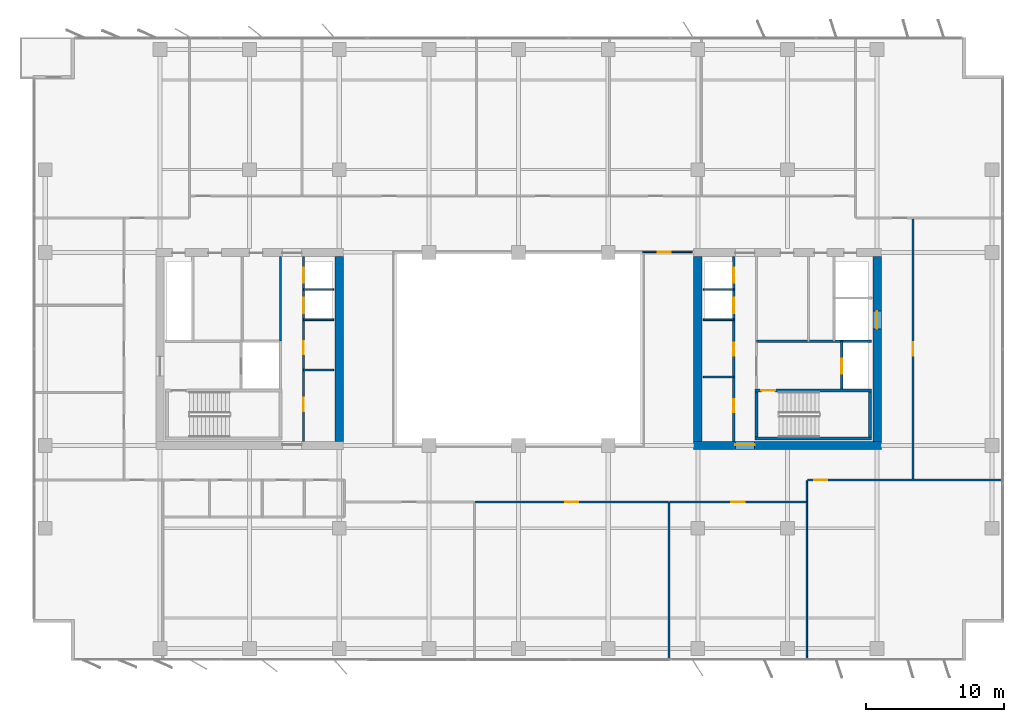
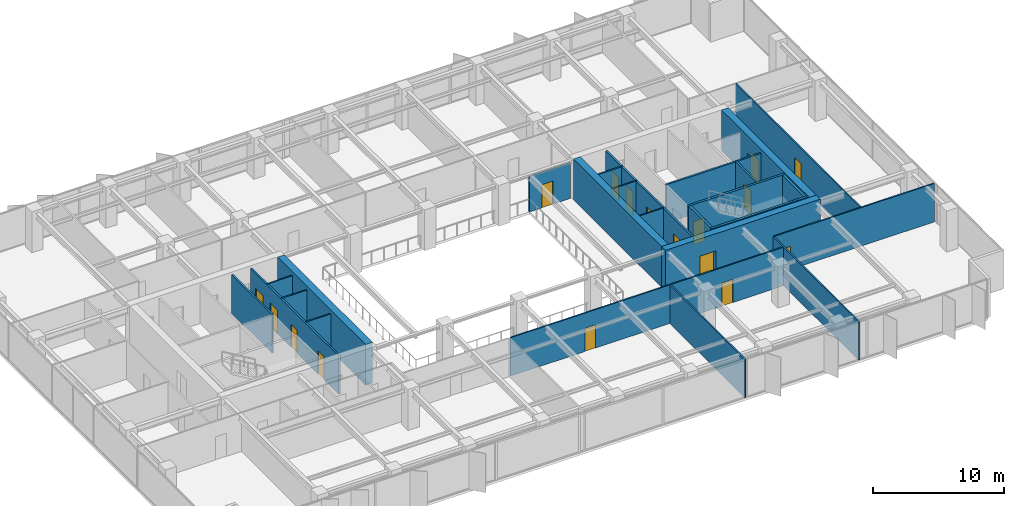
# One storey, part 16 of 22: 26 walls, 17 doors, 17 openings.
"""IFC4 building model written with IfcOpenShell, lengths in metres."""

from ifc_helpers import new_model, si_unit, direction, frame, frame_2d, origin, place, context, subcontext, project, spatial, rectangle, extrude, material, layer, layer_set, type_object, element, fill, save


model = new_model("IFC4")

# Units and contexts
model_context = context("Model", 3, precision=1e-05, world=origin(), true_north=direction((0.0, 1.0)))
body_context = subcontext(model_context, "Body", "Model", "MODEL_VIEW")
ifc_project = project(units=[si_unit("LENGTHUNIT", "METRE"), si_unit("AREAUNIT", "SQUARE_METRE"), si_unit("VOLUMEUNIT", "CUBIC_METRE"), si_unit("PLANEANGLEUNIT", "RADIAN"), si_unit("MASSUNIT", "GRAM", prefix="KILO")], contexts=[model_context])

# Site, building, storey
site_placement = place(None, origin())
site = spatial("IfcSite", under=ifc_project, at=site_placement, CompositionType="ELEMENT")
building_placement = place(site_placement, origin())
building = spatial("IfcBuilding", under=site, at=building_placement, Name="Putna Gate Headquarters", CompositionType="ELEMENT")
storey_placement = place(building_placement, frame((0.0, 0.0, 151.800048828125)))
storey = spatial("IfcBuildingStorey", under=building, at=storey_placement, Name="L37", CompositionType="ELEMENT", Elevation=151.800048828125)

# Wall
ifc_material_1 = material(Name="Concrete C50/60", Category="concrete")
ifc_layer_1 = layer(ifc_material_1, 0.60009765625)
ifc_layer_set_1 = layer_set([ifc_layer_1], Name="Concrete C50/60")
wall_type_1 = type_object("IfcWallType", Name="WALL-CORE-600", PredefinedType="SHEAR", material=ifc_layer_set_1)
wall_1_placement = place(storey_placement, frame((26.0, 19.300048828125, 0.0), z_axis=(0.0, 0.0, 1.0), x_axis=(0.0, 1.0, 0.0)))
element("IfcWall", 1, at=wall_1_placement, inside=storey, type_object=wall_type_1, Name="L37 WC Split Core Shear Wall E", PredefinedType="SHEAR", context=body_context, shape_type="SweptSolid", body=[
    extrude(rectangle(XDim=13.39990234375, YDim=0.60009765625, at=frame_2d((6.699951171875, 0.0))), origin(), (0.0, 0.0, 1.0), 3.800048828125),
])

# Wall, opening, door
wall_2_placement = place(storey_placement, frame((51.699951171875, 19.0, 0.0), z_axis=(0.0, 0.0, 1.0), x_axis=(1.0, 0.0, 0.0)))
wall_2 = element("IfcWall", 2, at=wall_2_placement, inside=storey, type_object=wall_type_1, Name="L37 EC Split Core Shear Wall S", PredefinedType="SHEAR", context=body_context, shape_type="SweptSolid", body=[
    extrude(rectangle(XDim=13.60009765625, YDim=0.60009765625, at=frame_2d((6.800048828125, 0.0))), origin(), (0.0, 0.0, 1.0), 3.800048828125),
])
opening_1_placement = place(wall_2_placement, frame((3.02001953125, 0.0, 0.0)))
opening_1 = element("IfcOpeningElement", 3, at=opening_1_placement, cuts=wall_2, Name="Opening FDD-140", PredefinedType="OPENING", context=body_context, shape_type="SweptSolid", body=[
    extrude(rectangle(XDim=1.39990234375, YDim=2.199951171875, at=frame_2d((0.699951171875, 1.10009765625))), frame((0.0, 0.31005859375, 0.0), z_axis=(0.0, -1.0, 0.0), x_axis=(1.0, 0.0, 0.0)), (0.0, 0.0, 1.0), 0.6201171875),
])
ifc_material_2 = material(Name="Double steel fire door", Category="steel")
door_type_1 = type_object("IfcDoorType", Name="DOOR-FIRE-DBL-1400", OperationType="DOUBLE_DOOR_SINGLE_SWING", PredefinedType="DOOR", material=ifc_material_2)
door_1_placement = place(opening_1_placement, origin())
door_1 = element("IfcDoor", 4, at=door_1_placement, inside=storey, type_object=door_type_1, Name="L37 East Lift Lobby South Door", OperationType="DOUBLE_DOOR_SINGLE_SWING", OverallHeight=2.199951171875, OverallWidth=1.39990234375, PredefinedType="DOOR", context=body_context, shape_type="SweptSolid", body=[
    extrude(rectangle(XDim=1.39990234375, YDim=2.199951171875, at=frame_2d((0.699951171875, 1.10009765625))), frame((0.0, 0.0751953125, 0.0), z_axis=(0.0, -1.0, 0.0), x_axis=(1.0, 0.0, 0.0)), (0.0, 0.0, 1.0), 0.050048828125),
])
fill(opening_1, door_1)

# Wall
wall_3_placement = place(storey_placement, frame((52.0, 19.300048828125, 0.0), z_axis=(0.0, 0.0, 1.0), x_axis=(0.0, 1.0, 0.0)))
element("IfcWall", 5, at=wall_3_placement, inside=storey, type_object=wall_type_1, Name="L37 EC Split Core Shear Wall W", PredefinedType="SHEAR", context=body_context, shape_type="SweptSolid", body=[
    extrude(rectangle(XDim=13.39990234375, YDim=0.60009765625, at=frame_2d((6.699951171875, 0.0))), origin(), (0.0, 0.0, 1.0), 3.800048828125),
])

# Wall, opening, door
wall_4_placement = place(storey_placement, frame((65.0, 19.300048828125, 0.0), z_axis=(0.0, 0.0, 1.0), x_axis=(0.0, 1.0, 0.0)))
wall_4 = element("IfcWall", 6, at=wall_4_placement, inside=storey, type_object=wall_type_1, Name="L37 EC Split Core Shear Wall E", PredefinedType="SHEAR", context=body_context, shape_type="SweptSolid", body=[
    extrude(rectangle(XDim=13.39990234375, YDim=0.60009765625, at=frame_2d((6.699951171875, 0.0))), origin(), (0.0, 0.0, 1.0), 3.800048828125),
])
opening_2_placement = place(wall_4_placement, frame((8.14990234375, 0.0, 0.0)))
opening_2 = element("IfcOpeningElement", 7, at=opening_2_placement, cuts=wall_4, Name="Opening LD-2", PredefinedType="OPENING", context=body_context, shape_type="SweptSolid", body=[
    extrude(rectangle(XDim=1.300048828125, YDim=2.199951171875, at=frame_2d((0.64990234375, 1.10009765625))), frame((0.0, 0.31005859375, 0.0), z_axis=(0.0, -1.0, 0.0), x_axis=(1.0, 0.0, 0.0)), (0.0, 0.0, 1.0), 0.6201171875),
])
ifc_material_3 = material(Name="Heavy-duty goods lift sliding landing door")
door_type_2 = type_object("IfcDoorType", Name="DOOR-LIFT-1300", OperationType="DOUBLE_DOOR_SLIDING", PredefinedType="DOOR", material=ifc_material_3)
door_2_placement = place(opening_2_placement, origin())
door_2 = element("IfcDoor", 8, at=door_2_placement, inside=storey, type_object=door_type_2, Name="L37 Goods Lift Landing Door LD-15", OperationType="DOUBLE_DOOR_SLIDING", OverallHeight=2.199951171875, OverallWidth=1.300048828125, PredefinedType="DOOR", context=body_context, shape_type="SweptSolid", body=[
    extrude(rectangle(XDim=1.300048828125, YDim=2.199951171875, at=frame_2d((0.64990234375, 1.10009765625))), frame((0.0, 0.02490234375, 0.0), z_axis=(0.0, -1.0, 0.0), x_axis=(1.0, 0.0, 0.0)), (0.0, 0.0, 1.0), 0.050048828125),
])
fill(opening_2, door_2)

ifc_material_4 = material(Name="Acoustic gypsum board on metal stud")
ifc_layer_2 = layer(ifc_material_4, 0.1201171875)
ifc_layer_set_2 = layer_set([ifc_layer_2], Name="Acoustic gypsum board on metal stud")
wall_type_2 = type_object("IfcWallType", Name="WALL-PART-120", PredefinedType="PARTITIONING", material=ifc_layer_set_2)
wall_5_placement = place(storey_placement, frame((48.0, 33.0400390625, 0.0), z_axis=(0.0, 0.0, 1.0), x_axis=(1.0, 0.0, 0.0)))
wall_5 = element("IfcWall", 9, at=wall_5_placement, inside=storey, type_object=wall_type_2, Name="L37 Interior Wall PART-L37-ATR-E-N", PredefinedType="PARTITIONING", context=body_context, shape_type="SweptSolid", body=[
    extrude(rectangle(XDim=3.60009765625, YDim=0.1201171875, at=frame_2d((1.800048828125, 0.0))), origin(), (0.0, 0.0, 1.0), 3.31201171875),
])
opening_3_placement = place(wall_5_placement, frame((1.10009765625, 0.0, 0.0)))
opening_3 = element("IfcOpeningElement", 10, at=opening_3_placement, cuts=wall_5, Name="Opening ID-95", PredefinedType="OPENING", context=body_context, shape_type="SweptSolid", body=[
    extrude(rectangle(XDim=0.949951171875, YDim=2.14990234375, at=frame_2d((0.47509765625, 1.074951171875))), frame((0.0, 0.070068359375, 0.0), z_axis=(0.0, -1.0, 0.0), x_axis=(1.0, 0.0, 0.0)), (0.0, 0.0, 1.0), 0.14013671875),
])
ifc_material_5 = material(Name="Veneered acoustic timber door", Category="wood")
door_type_3 = type_object("IfcDoorType", Name="DOOR-OFF-950", OperationType="NOTDEFINED", PredefinedType="DOOR", material=ifc_material_5)
door_3_placement = place(opening_3_placement, origin())
door_3 = element("IfcDoor", 11, at=door_3_placement, inside=storey, type_object=door_type_3, Name="L37 East Sky Atrium Lounge Door", OperationType="SINGLE_SWING_LEFT", OverallHeight=2.14990234375, OverallWidth=0.949951171875, PredefinedType="DOOR", context=body_context, shape_type="SweptSolid", body=[
    extrude(rectangle(XDim=0.949951171875, YDim=2.14990234375, at=frame_2d((0.47509765625, 1.074951171875))), frame((0.0, 0.02490234375, 0.0), z_axis=(0.0, -1.0, 0.0), x_axis=(1.0, 0.0, 0.0)), (0.0, 0.0, 1.0), 0.050048828125),
])
fill(opening_3, door_3)

# Walls
wall_6_placement = place(storey_placement, frame((49.912109375, 3.419921875, 0.0), z_axis=(0.0, 0.0, 1.0), x_axis=(0.0, 1.0, 0.0)))
element("IfcWall", 12, at=wall_6_placement, inside=storey, type_object=wall_type_2, Name="L37 Interior Wall PART-L37-SB-DIV-03", PredefinedType="PARTITIONING", context=body_context, shape_type="SweptSolid", body=[
    extrude(rectangle(XDim=11.420166015625, YDim=0.1201171875, at=frame_2d((5.7099609375, 0.0))), origin(), (0.0, 0.0, 1.0), 3.572021484375),
])
wall_7_placement = place(storey_placement, frame((59.907958984375, 3.419921875, 0.0), z_axis=(0.0, 0.0, 1.0), x_axis=(0.0, 1.0, 0.0)))
element("IfcWall", 13, at=wall_7_placement, inside=storey, type_object=wall_type_2, Name="L37 Interior Wall PART-L37-SB-DIV-04", PredefinedType="PARTITIONING", context=body_context, shape_type="SweptSolid", body=[
    extrude(rectangle(XDim=13.02001953125, YDim=0.1201171875, at=frame_2d((6.510009765625, 0.0))), origin(), (0.0, 0.0, 1.0), 3.572021484375),
])
ifc_material_6 = material(Name="Fire-rated shaftwall gypsum board on metal stud")
ifc_layer_3 = layer(ifc_material_6, 0.1201171875)
ifc_layer_set_3 = layer_set([ifc_layer_3], Name="Fire-rated shaftwall gypsum board on metal stud")
wall_type_3 = type_object("IfcWallType", Name="WALL-PART-120-EI120", PredefinedType="PARTITIONING", material=ifc_layer_set_3)
for number, where, z_axis, x_axis, name in (
    (14, (23.39990234375, 30.31005859375, 0.0), (0.0, 0.0, 1.0), (1.0, 0.0, 0.0), "L37 Interior Wall CWINT-L37-WC-LF09-DIV"),
    (15, (52.39990234375, 30.31005859375, 0.0), (0.0, 0.0, 1.0), (1.0, 0.0, 0.0), "L37 Interior Wall CWINT-L37-EC-LF11-DIV"),
):
    element("IfcWall", number, at=place(storey_placement, frame(where, z_axis=z_axis, x_axis=x_axis)), inside=storey, type_object=wall_type_3, Name=name, PredefinedType="PARTITIONING", context=body_context, shape_type="SweptSolid", body=[
        extrude(rectangle(XDim=2.2001953125, YDim=0.1201171875, at=frame_2d((1.10009765625, 0.0))), origin(), (0.0, 0.0, 1.0), 3.572021484375),
    ])
ifc_material_7 = material(Name="Fire-rated gypsum board on metal stud")
ifc_layer_4 = layer(ifc_material_7, 0.1201171875)
ifc_layer_set_4 = layer_set([ifc_layer_4], Name="Fire-rated gypsum board on metal stud")
wall_type_4 = type_object("IfcWallType", Name="WALL-PART-120-RATED", PredefinedType="PARTITIONING", material=ifc_layer_set_4)
for number, where, z_axis, x_axis, name in (
    (16, (23.39990234375, 24.469970703125, 0.0), (0.0, 0.0, 1.0), (1.0, 0.0, 0.0), "L37 Interior Wall CWINT-L37-WC-REUSE-DIV"),
    (17, (23.39990234375, 28.1201171875, 0.0), (0.0, 0.0, 1.0), (1.0, 0.0, 0.0), "L37 Interior Wall CWINT-L37-WC-LF06-DIV"),
    (18, (52.39990234375, 23.969970703125, 0.0), (0.0, 0.0, 1.0), (1.0, 0.0, 0.0), "L37 Interior Wall CWINT-L37-EC-REUSE-DIV"),
    (19, (52.39990234375, 28.1201171875, 0.0), (0.0, 0.0, 1.0), (1.0, 0.0, 0.0), "L37 Interior Wall CWINT-L37-EC-LF08-DIV"),
):
    element("IfcWall", number, at=place(storey_placement, frame(where, z_axis=z_axis, x_axis=x_axis)), inside=storey, type_object=wall_type_4, Name=name, PredefinedType="PARTITIONING", context=body_context, shape_type="SweptSolid", body=[
        extrude(rectangle(XDim=2.2001953125, YDim=0.1201171875, at=frame_2d((1.10009765625, 0.0))), origin(), (0.0, 0.0, 1.0), 3.572021484375),
    ])

# Wall, opening, door
wall_8_placement = place(storey_placement, frame((35.860107421875, 14.89990234375, 0.0), z_axis=(0.0, 0.0, 1.0), x_axis=(1.0, 0.0, 0.0)))
wall_8 = element("IfcWall", 20, at=wall_8_placement, inside=storey, type_object=wall_type_4, Name="L37 Interior Wall PART-L37-SB-CW-03", PredefinedType="PARTITIONING", context=body_context, shape_type="SweptSolid", body=[
    extrude(rectangle(XDim=13.991943359375, YDim=0.1201171875, at=frame_2d((6.99609375, 0.0))), origin(), (0.0, 0.0, 1.0), 3.572021484375),
])
opening_4_placement = place(wall_8_placement, frame((6.52099609375, 0.0, 0.0)))
opening_4 = element("IfcOpeningElement", 21, at=opening_4_placement, cuts=wall_8, Name="Opening FD-95", PredefinedType="OPENING", context=body_context, shape_type="SweptSolid", body=[
    extrude(rectangle(XDim=0.949951171875, YDim=2.14990234375, at=frame_2d((0.47509765625, 1.074951171875))), frame((0.0, 0.070068359375, 0.0), z_axis=(0.0, -1.0, 0.0), x_axis=(1.0, 0.0, 0.0)), (0.0, 0.0, 1.0), 0.14013671875),
])
ifc_material_8 = material(Name="Acoustic timber fire door", Category="wood")
door_type_4 = type_object("IfcDoorType", Name="DOOR-FIRE-950", OperationType="NOTDEFINED", PredefinedType="DOOR", material=ifc_material_8)
door_4_placement = place(opening_4_placement, origin())
door_4 = element("IfcDoor", 22, at=door_4_placement, inside=storey, type_object=door_type_4, Name="L37 Quiet Wellness Focus Studio 2 Door", OperationType="SINGLE_SWING_LEFT", OverallHeight=2.14990234375, OverallWidth=0.949951171875, PredefinedType="DOOR", context=body_context, shape_type="SweptSolid", body=[
    extrude(rectangle(XDim=0.949951171875, YDim=2.14990234375, at=frame_2d((0.47509765625, 1.074951171875))), frame((0.0, 0.02490234375, 0.0), z_axis=(0.0, -1.0, 0.0), x_axis=(1.0, 0.0, 0.0)), (0.0, 0.0, 1.0), 0.050048828125),
])
fill(opening_4, door_4)

wall_9_placement = place(storey_placement, frame((49.971923828125, 14.89990234375, 0.0), z_axis=(0.0, 0.0, 1.0), x_axis=(1.0, 0.0, 0.0)))
wall_9 = element("IfcWall", 23, at=wall_9_placement, inside=storey, type_object=wall_type_4, Name="L37 Interior Wall PART-L37-SB-CW-04", PredefinedType="PARTITIONING", context=body_context, shape_type="SweptSolid", body=[
    extrude(rectangle(XDim=9.8759765625, YDim=0.1201171875, at=frame_2d((4.93798828125, 0.0))), origin(), (0.0, 0.0, 1.0), 3.572021484375),
])
opening_5_placement = place(wall_9_placement, frame((4.462890625, 0.0, 0.0)))
opening_5 = element("IfcOpeningElement", 24, at=opening_5_placement, cuts=wall_9, Name="Opening FD-95", PredefinedType="OPENING", context=body_context, shape_type="SweptSolid", body=[
    extrude(rectangle(XDim=0.949951171875, YDim=2.14990234375, at=frame_2d((0.47509765625, 1.074951171875))), frame((0.0, 0.070068359375, 0.0), z_axis=(0.0, -1.0, 0.0), x_axis=(1.0, 0.0, 0.0)), (0.0, 0.0, 1.0), 0.14013671875),
])
door_5_placement = place(opening_5_placement, origin())
door_5 = element("IfcDoor", 25, at=door_5_placement, inside=storey, type_object=door_type_4, Name="L37 Quiet Wellness Focus Studio 3 Door", OperationType="SINGLE_SWING_RIGHT", OverallHeight=2.14990234375, OverallWidth=0.949951171875, PredefinedType="DOOR", context=body_context, shape_type="SweptSolid", body=[
    extrude(rectangle(XDim=0.949951171875, YDim=2.14990234375, at=frame_2d((0.47509765625, 1.074951171875))), frame((0.0, 0.02490234375, 0.0), z_axis=(0.0, -1.0, 0.0), x_axis=(1.0, 0.0, 0.0)), (0.0, 0.0, 1.0), 0.050048828125),
])
fill(opening_5, door_5)

wall_10_placement = place(storey_placement, frame((59.968017578125, 16.5, 0.0), z_axis=(0.0, 0.0, 1.0), x_axis=(1.0, 0.0, 0.0)))
wall_10 = element("IfcWall", 26, at=wall_10_placement, inside=storey, type_object=wall_type_4, Name="L37 Interior Wall PART-L37-SB-CW-05", PredefinedType="PARTITIONING", context=body_context, shape_type="SweptSolid", body=[
    extrude(rectangle(XDim=14.052001953125, YDim=0.1201171875, at=frame_2d((7.02587890625, 0.0))), origin(), (0.0, 0.0, 1.0), 3.572021484375),
])
opening_6_placement = place(wall_10_placement, frame((0.47998046875, 0.0, 0.0)))
opening_6 = element("IfcOpeningElement", 27, at=opening_6_placement, cuts=wall_10, Name="Opening FD-95", PredefinedType="OPENING", context=body_context, shape_type="SweptSolid", body=[
    extrude(rectangle(XDim=0.949951171875, YDim=2.14990234375, at=frame_2d((0.47509765625, 1.074951171875))), frame((0.0, 0.070068359375, 0.0), z_axis=(0.0, -1.0, 0.0), x_axis=(1.0, 0.0, 0.0)), (0.0, 0.0, 1.0), 0.14013671875),
])
door_6_placement = place(opening_6_placement, origin())
door_6 = element("IfcDoor", 28, at=door_6_placement, inside=storey, type_object=door_type_4, Name="L37 Conference Meeting Room 1 Door", OperationType="SINGLE_SWING_LEFT", OverallHeight=2.14990234375, OverallWidth=0.949951171875, PredefinedType="DOOR", context=body_context, shape_type="SweptSolid", body=[
    extrude(rectangle(XDim=0.949951171875, YDim=2.14990234375, at=frame_2d((0.47509765625, 1.074951171875))), frame((0.0, 0.02490234375, 0.0), z_axis=(0.0, -1.0, 0.0), x_axis=(1.0, 0.0, 0.0)), (0.0, 0.0, 1.0), 0.050048828125),
])
fill(opening_6, door_6)

wall_11_placement = place(storey_placement, frame((67.60009765625, 16.5, 0.0), z_axis=(0.0, 0.0, 1.0), x_axis=(0.0, 1.0, 0.0)))
wall_11 = element("IfcWall", 29, at=wall_11_placement, inside=storey, type_object=wall_type_4, Name="L37 Interior Wall PART-L37-EW-CW-1", PredefinedType="PARTITIONING", context=body_context, shape_type="SweptSolid", body=[
    extrude(rectangle(XDim=19.0, YDim=0.1201171875, at=frame_2d((9.5, 0.0))), origin(), (0.0, 0.0, 1.0), 3.572021484375),
])
opening_7_placement = place(wall_11_placement, frame((9.02490234375, 0.0, 0.0)))
opening_7 = element("IfcOpeningElement", 30, at=opening_7_placement, cuts=wall_11, Name="Opening FD-95", PredefinedType="OPENING", context=body_context, shape_type="SweptSolid", body=[
    extrude(rectangle(XDim=0.949951171875, YDim=2.14990234375, at=frame_2d((0.47509765625, 1.074951171875))), frame((0.0, 0.070068359375, 0.0), z_axis=(0.0, -1.0, 0.0), x_axis=(1.0, 0.0, 0.0)), (0.0, 0.0, 1.0), 0.14013671875),
])
door_7_placement = place(opening_7_placement, origin())
door_7 = element("IfcDoor", 31, at=door_7_placement, inside=storey, type_object=door_type_4, Name="L37 East Advisory Office 1 Door", OperationType="SINGLE_SWING_LEFT", OverallHeight=2.14990234375, OverallWidth=0.949951171875, PredefinedType="DOOR", context=body_context, shape_type="SweptSolid", body=[
    extrude(rectangle(XDim=0.949951171875, YDim=2.14990234375, at=frame_2d((0.47509765625, 1.074951171875))), frame((0.0, 0.02490234375, 0.0), z_axis=(0.0, -1.0, 0.0), x_axis=(1.0, 0.0, 0.0)), (0.0, 0.0, 1.0), 0.050048828125),
])
fill(opening_7, door_7)

# Wall
ifc_material_9 = material(Name="Concrete C40/50", Category="concrete")
ifc_layer_5 = layer(ifc_material_9, 0.159912109375)
ifc_layer_set_5 = layer_set([ifc_layer_5], Name="Concrete C40/50")
wall_type_5 = type_object("IfcWallType", Name="WALL-SHAFT-160", PredefinedType="STANDARD", material=ifc_layer_set_5)
wall_12_placement = place(storey_placement, frame((21.739990234375, 26.56005859375, 0.0), z_axis=(0.0, 0.0, 1.0), x_axis=(0.0, 1.0, 0.0)))
element("IfcWall", 32, at=wall_12_placement, inside=storey, type_object=wall_type_5, Name="L37 Interior Wall CWINT-L37-WC-LOB-W", PredefinedType="STANDARD", context=body_context, shape_type="SweptSolid", body=[
    extrude(rectangle(XDim=6.139892578125, YDim=0.159912109375, at=frame_2d((3.06982421875, 0.0))), origin(), (0.0, 0.0, 1.0), 3.572021484375),
])

# Wall, openings, doors
wall_13_placement = place(storey_placement, frame((23.39990234375, 19.300048828125, 0.0), z_axis=(0.0, 0.0, 1.0), x_axis=(0.0, 1.0, 0.0)))
wall_13 = element("IfcWall", 33, at=wall_13_placement, inside=storey, type_object=wall_type_5, Name="L37 Interior Wall CWINT-L37-WC-PL-WALL", PredefinedType="STANDARD", context=body_context, shape_type="SweptSolid", body=[
    extrude(rectangle(XDim=13.39990234375, YDim=0.159912109375, at=frame_2d((6.699951171875, 0.0))), origin(), (0.0, 0.0, 1.0), 3.572021484375),
])
opening_8_placement = place(wall_13_placement, frame((2.199951171875, 0.0, 0.0)))
opening_8 = element("IfcOpeningElement", 34, at=opening_8_placement, cuts=wall_13, Name="Opening IDS-95", PredefinedType="OPENING", context=body_context, shape_type="SweptSolid", body=[
    extrude(rectangle(XDim=0.949951171875, YDim=2.14990234375, at=frame_2d((0.47509765625, 1.074951171875))), frame((0.0, 0.08984375, 0.0), z_axis=(0.0, -1.0, 0.0), x_axis=(1.0, 0.0, 0.0)), (0.0, 0.0, 1.0), 0.179931640625),
])
opening_9_placement = place(wall_13_placement, frame((6.300048828125, 0.0, 0.0)))
opening_9 = element("IfcOpeningElement", 35, at=opening_9_placement, cuts=wall_13, Name="Opening IDS-95", PredefinedType="OPENING", context=body_context, shape_type="SweptSolid", body=[
    extrude(rectangle(XDim=0.949951171875, YDim=2.14990234375, at=frame_2d((0.47509765625, 1.074951171875))), frame((0.0, 0.08984375, 0.0), z_axis=(0.0, -1.0, 0.0), x_axis=(1.0, 0.0, 0.0)), (0.0, 0.0, 1.0), 0.179931640625),
])
opening_10_placement = place(wall_13_placement, frame((9.300048828125, 0.0, 0.0)))
opening_10 = element("IfcOpeningElement", 36, at=opening_10_placement, cuts=wall_13, Name="Opening LD-1", PredefinedType="OPENING", context=body_context, shape_type="SweptSolid", body=[
    extrude(rectangle(XDim=1.10009765625, YDim=2.199951171875, at=frame_2d((0.550048828125, 1.10009765625))), frame((0.0, 0.08984375, 0.0), z_axis=(0.0, -1.0, 0.0), x_axis=(1.0, 0.0, 0.0)), (0.0, 0.0, 1.0), 0.179931640625),
])
opening_11_placement = place(wall_13_placement, frame((11.5, 0.0, 0.0)))
opening_11 = element("IfcOpeningElement", 37, at=opening_11_placement, cuts=wall_13, Name="Opening LD-1", PredefinedType="OPENING", context=body_context, shape_type="SweptSolid", body=[
    extrude(rectangle(XDim=1.10009765625, YDim=2.199951171875, at=frame_2d((0.550048828125, 1.10009765625))), frame((0.0, 0.08984375, 0.0), z_axis=(0.0, -1.0, 0.0), x_axis=(1.0, 0.0, 0.0)), (0.0, 0.0, 1.0), 0.179931640625),
])
ifc_material_10 = material(Name="Fire-rated service timber door", Category="wood")
door_type_5 = type_object("IfcDoorType", Name="DOOR-INT-950", OperationType="NOTDEFINED", PredefinedType="DOOR", material=ifc_material_10)
door_8_placement = place(opening_8_placement, origin())
door_8 = element("IfcDoor", 38, at=door_8_placement, inside=storey, type_object=door_type_5, Name="L37 Tenant IT Hub Door", OperationType="SINGLE_SWING_LEFT", OverallHeight=2.14990234375, OverallWidth=0.949951171875, PredefinedType="DOOR", context=body_context, shape_type="SweptSolid", body=[
    extrude(rectangle(XDim=0.949951171875, YDim=2.14990234375, at=frame_2d((0.47509765625, 1.074951171875))), frame((0.0, 0.02490234375, 0.0), z_axis=(0.0, -1.0, 0.0), x_axis=(1.0, 0.0, 0.0)), (0.0, 0.0, 1.0), 0.050048828125),
])
fill(opening_8, door_8)
door_9_placement = place(opening_9_placement, origin())
door_9 = element("IfcDoor", 39, at=door_9_placement, inside=storey, type_object=door_type_5, Name="L37 Records Vault Door", OperationType="SINGLE_SWING_RIGHT", OverallHeight=2.14990234375, OverallWidth=0.949951171875, PredefinedType="DOOR", context=body_context, shape_type="SweptSolid", body=[
    extrude(rectangle(XDim=0.949951171875, YDim=2.14990234375, at=frame_2d((0.47509765625, 1.074951171875))), frame((0.0, 0.02490234375, 0.0), z_axis=(0.0, -1.0, 0.0), x_axis=(1.0, 0.0, 0.0)), (0.0, 0.0, 1.0), 0.050048828125),
])
fill(opening_9, door_9)
ifc_material_11 = material(Name="Brushed bronze stainless lift landing door")
door_type_6 = type_object("IfcDoorType", Name="DOOR-LIFT-1100", OperationType="DOUBLE_DOOR_SLIDING", PredefinedType="DOOR", material=ifc_material_11)
door_10_placement = place(opening_10_placement, origin())
door_10 = element("IfcDoor", 40, at=door_10_placement, inside=storey, type_object=door_type_6, Name="L37 Lift Landing Door LD-09", OperationType="DOUBLE_DOOR_SLIDING", OverallHeight=2.199951171875, OverallWidth=1.10009765625, PredefinedType="DOOR", context=body_context, shape_type="SweptSolid", body=[
    extrude(rectangle(XDim=1.10009765625, YDim=2.199951171875, at=frame_2d((0.550048828125, 1.10009765625))), frame((0.0, 0.02490234375, 0.0), z_axis=(0.0, -1.0, 0.0), x_axis=(1.0, 0.0, 0.0)), (0.0, 0.0, 1.0), 0.050048828125),
])
fill(opening_10, door_10)
door_11_placement = place(opening_11_placement, origin())
door_11 = element("IfcDoor", 41, at=door_11_placement, inside=storey, type_object=door_type_6, Name="L37 Lift Landing Door LD-10", OperationType="DOUBLE_DOOR_SLIDING", OverallHeight=2.199951171875, OverallWidth=1.10009765625, PredefinedType="DOOR", context=body_context, shape_type="SweptSolid", body=[
    extrude(rectangle(XDim=1.10009765625, YDim=2.199951171875, at=frame_2d((0.550048828125, 1.10009765625))), frame((0.0, 0.02490234375, 0.0), z_axis=(0.0, -1.0, 0.0), x_axis=(1.0, 0.0, 0.0)), (0.0, 0.0, 1.0), 0.050048828125),
])
fill(opening_11, door_11)

wall_14_placement = place(storey_placement, frame((54.60009765625, 19.300048828125, 0.0), z_axis=(0.0, 0.0, 1.0), x_axis=(0.0, 1.0, 0.0)))
wall_14 = element("IfcWall", 42, at=wall_14_placement, inside=storey, type_object=wall_type_5, Name="L37 Interior Wall CWINT-L37-EC-PL-WALL", PredefinedType="STANDARD", context=body_context, shape_type="SweptSolid", body=[
    extrude(rectangle(XDim=13.39990234375, YDim=0.159912109375, at=frame_2d((6.699951171875, 0.0))), origin(), (0.0, 0.0, 1.0), 3.572021484375),
])
opening_12_placement = place(wall_14_placement, frame((2.10009765625, 0.0, 0.0)))
opening_12 = element("IfcOpeningElement", 43, at=opening_12_placement, cuts=wall_14, Name="Opening IDS-95", PredefinedType="OPENING", context=body_context, shape_type="SweptSolid", body=[
    extrude(rectangle(XDim=0.949951171875, YDim=2.14990234375, at=frame_2d((0.47509765625, 1.074951171875))), frame((0.0, 0.08984375, 0.0), z_axis=(0.0, -1.0, 0.0), x_axis=(1.0, 0.0, 0.0)), (0.0, 0.0, 1.0), 0.179931640625),
])
opening_13_placement = place(wall_14_placement, frame((6.199951171875, 0.0, 0.0)))
opening_13 = element("IfcOpeningElement", 44, at=opening_13_placement, cuts=wall_14, Name="Opening IDS-95", PredefinedType="OPENING", context=body_context, shape_type="SweptSolid", body=[
    extrude(rectangle(XDim=0.949951171875, YDim=2.14990234375, at=frame_2d((0.47509765625, 1.074951171875))), frame((0.0, 0.08984375, 0.0), z_axis=(0.0, -1.0, 0.0), x_axis=(1.0, 0.0, 0.0)), (0.0, 0.0, 1.0), 0.179931640625),
])
opening_14_placement = place(wall_14_placement, frame((9.300048828125, 0.0, 0.0)))
opening_14 = element("IfcOpeningElement", 45, at=opening_14_placement, cuts=wall_14, Name="Opening LD-1", PredefinedType="OPENING", context=body_context, shape_type="SweptSolid", body=[
    extrude(rectangle(XDim=1.10009765625, YDim=2.199951171875, at=frame_2d((0.550048828125, 1.10009765625))), frame((0.0, 0.08984375, 0.0), z_axis=(0.0, -1.0, 0.0), x_axis=(1.0, 0.0, 0.0)), (0.0, 0.0, 1.0), 0.179931640625),
])
opening_15_placement = place(wall_14_placement, frame((11.5, 0.0, 0.0)))
opening_15 = element("IfcOpeningElement", 46, at=opening_15_placement, cuts=wall_14, Name="Opening LD-1", PredefinedType="OPENING", context=body_context, shape_type="SweptSolid", body=[
    extrude(rectangle(XDim=1.10009765625, YDim=2.199951171875, at=frame_2d((0.550048828125, 1.10009765625))), frame((0.0, 0.08984375, 0.0), z_axis=(0.0, -1.0, 0.0), x_axis=(1.0, 0.0, 0.0)), (0.0, 0.0, 1.0), 0.179931640625),
])
door_12_placement = place(opening_12_placement, origin())
door_12 = element("IfcDoor", 47, at=door_12_placement, inside=storey, type_object=door_type_5, Name="L37 Executive Archive Door", OperationType="SINGLE_SWING_RIGHT", OverallHeight=2.14990234375, OverallWidth=0.949951171875, PredefinedType="DOOR", context=body_context, shape_type="SweptSolid", body=[
    extrude(rectangle(XDim=0.949951171875, YDim=2.14990234375, at=frame_2d((0.47509765625, 1.074951171875))), frame((0.0, 0.02490234375, 0.0), z_axis=(0.0, -1.0, 0.0), x_axis=(1.0, 0.0, 0.0)), (0.0, 0.0, 1.0), 0.050048828125),
])
fill(opening_12, door_12)
door_13_placement = place(opening_13_placement, origin())
door_13 = element("IfcDoor", 48, at=door_13_placement, inside=storey, type_object=door_type_5, Name="L37 Comms Distribution Door", OperationType="SINGLE_SWING_LEFT", OverallHeight=2.14990234375, OverallWidth=0.949951171875, PredefinedType="DOOR", context=body_context, shape_type="SweptSolid", body=[
    extrude(rectangle(XDim=0.949951171875, YDim=2.14990234375, at=frame_2d((0.47509765625, 1.074951171875))), frame((0.0, 0.02490234375, 0.0), z_axis=(0.0, -1.0, 0.0), x_axis=(1.0, 0.0, 0.0)), (0.0, 0.0, 1.0), 0.050048828125),
])
fill(opening_13, door_13)
door_14_placement = place(opening_14_placement, origin())
door_14 = element("IfcDoor", 49, at=door_14_placement, inside=storey, type_object=door_type_6, Name="L37 Lift Landing Door LD-11", OperationType="DOUBLE_DOOR_SLIDING", OverallHeight=2.199951171875, OverallWidth=1.10009765625, PredefinedType="DOOR", context=body_context, shape_type="SweptSolid", body=[
    extrude(rectangle(XDim=1.10009765625, YDim=2.199951171875, at=frame_2d((0.550048828125, 1.10009765625))), frame((0.0, 0.02490234375, 0.0), z_axis=(0.0, -1.0, 0.0), x_axis=(1.0, 0.0, 0.0)), (0.0, 0.0, 1.0), 0.050048828125),
])
fill(opening_14, door_14)
door_15_placement = place(opening_15_placement, origin())
door_15 = element("IfcDoor", 50, at=door_15_placement, inside=storey, type_object=door_type_6, Name="L37 Lift Landing Door LD-12", OperationType="DOUBLE_DOOR_SLIDING", OverallHeight=2.199951171875, OverallWidth=1.10009765625, PredefinedType="DOOR", context=body_context, shape_type="SweptSolid", body=[
    extrude(rectangle(XDim=1.10009765625, YDim=2.199951171875, at=frame_2d((0.550048828125, 1.10009765625))), frame((0.0, 0.02490234375, 0.0), z_axis=(0.0, -1.0, 0.0), x_axis=(1.0, 0.0, 0.0)), (0.0, 0.0, 1.0), 0.050048828125),
])
fill(opening_15, door_15)

# Wall, opening, door
wall_15_placement = place(storey_placement, frame((62.429931640625, 23.090087890625, 0.0), z_axis=(0.0, 0.0, 1.0), x_axis=(0.0, 1.0, 0.0)))
wall_15 = element("IfcWall", 51, at=wall_15_placement, inside=storey, type_object=wall_type_5, Name="L37 Interior Wall CWINT-L37-EC-LF14-W", PredefinedType="STANDARD", context=body_context, shape_type="SweptSolid", body=[
    extrude(rectangle(XDim=3.469970703125, YDim=0.159912109375, at=frame_2d((1.73486328125, 0.0))), origin(), (0.0, 0.0, 1.0), 3.572021484375),
])
opening_16_placement = place(wall_15_placement, frame((1.10009765625, 0.0, 0.0)))
opening_16 = element("IfcOpeningElement", 52, at=opening_16_placement, cuts=wall_15, Name="Opening LD-1", PredefinedType="OPENING", context=body_context, shape_type="SweptSolid", body=[
    extrude(rectangle(XDim=1.10009765625, YDim=2.199951171875, at=frame_2d((0.550048828125, 1.10009765625))), frame((0.0, 0.08984375, 0.0), z_axis=(0.0, -1.0, 0.0), x_axis=(1.0, 0.0, 0.0)), (0.0, 0.0, 1.0), 0.179931640625),
])
door_16_placement = place(opening_16_placement, origin())
door_16 = element("IfcDoor", 53, at=door_16_placement, inside=storey, type_object=door_type_6, Name="L37 Lift Landing Door LD-14", OperationType="DOUBLE_DOOR_SLIDING", OverallHeight=2.199951171875, OverallWidth=1.10009765625, PredefinedType="DOOR", context=body_context, shape_type="SweptSolid", body=[
    extrude(rectangle(XDim=1.10009765625, YDim=2.199951171875, at=frame_2d((0.550048828125, 1.10009765625))), frame((0.0, 0.02490234375, 0.0), z_axis=(0.0, -1.0, 0.0), x_axis=(1.0, 0.0, 0.0)), (0.0, 0.0, 1.0), 0.050048828125),
])
fill(opening_16, door_16)

# Walls
wall_16_placement = place(storey_placement, frame((56.260009765625, 26.56005859375, 0.0), z_axis=(0.0, 0.0, 1.0), x_axis=(1.0, 0.0, 0.0)))
element("IfcWall", 54, at=wall_16_placement, inside=storey, type_object=wall_type_5, Name="L37 Interior Wall CWINT-L37-EC-FFL-N", PredefinedType="STANDARD", context=body_context, shape_type="SweptSolid", body=[
    extrude(rectangle(XDim=8.340087890625, YDim=0.159912109375, at=frame_2d((4.169921875, 0.0))), origin(), (0.0, 0.0, 1.0), 3.572021484375),
])
ifc_layer_6 = layer(ifc_material_9, 0.199951171875)
ifc_layer_set_6 = layer_set([ifc_layer_6], Name="Concrete C40/50")
wall_type_6 = type_object("IfcWallType", Name="WALL-SHAFT-RC200", PredefinedType="SHEAR", material=ifc_layer_set_6)
wall_17_placement = place(storey_placement, frame((56.159912109375, 19.510009765625, 0.0), z_axis=(0.0, 0.0, 1.0), x_axis=(1.0, 0.0, 0.0)))
element("IfcWall", 55, at=wall_17_placement, inside=storey, type_object=wall_type_6, Name="L37 Stair ST2 Structural Shaft Wall S", PredefinedType="SHEAR", context=body_context, shape_type="SweptSolid", body=[
    extrude(rectangle(XDim=8.43017578125, YDim=0.199951171875, at=frame_2d((4.215087890625, 0.0))), origin(), (0.0, 0.0, 1.0), 3.800048828125),
])

# Wall, opening, door
wall_18_placement = place(storey_placement, frame((56.159912109375, 22.989990234375, 0.0), z_axis=(0.0, 0.0, 1.0), x_axis=(1.0, 0.0, 0.0)))
wall_18 = element("IfcWall", 56, at=wall_18_placement, inside=storey, type_object=wall_type_6, Name="L37 Stair ST2 Structural Shaft Wall N", PredefinedType="SHEAR", context=body_context, shape_type="SweptSolid", body=[
    extrude(rectangle(XDim=8.43017578125, YDim=0.199951171875, at=frame_2d((4.215087890625, 0.0))), origin(), (0.0, 0.0, 1.0), 3.800048828125),
])
opening_17_placement = place(wall_18_placement, frame((0.449951171875, 0.0, 0.0)))
opening_17 = element("IfcOpeningElement", 57, at=opening_17_placement, cuts=wall_18, Name="Opening FD-100", PredefinedType="OPENING", context=body_context, shape_type="SweptSolid", body=[
    extrude(rectangle(XDim=1.0, YDim=2.14990234375, at=frame_2d((0.5, 1.074951171875))), frame((0.0, 0.10986328125, 0.0), z_axis=(0.0, -1.0, 0.0), x_axis=(1.0, 0.0, 0.0)), (0.0, 0.0, 1.0), 0.219970703125),
])
ifc_material_12 = material(Name="Powder-coated steel fire door", Category="steel")
door_type_7 = type_object("IfcDoorType", Name="DOOR-FIRE-1000", OperationType="NOTDEFINED", PredefinedType="DOOR", material=ifc_material_12)
door_17_placement = place(opening_17_placement, origin())
door_17 = element("IfcDoor", 58, at=door_17_placement, inside=storey, type_object=door_type_7, Name="L37 Stair ST2 Fire Door", OperationType="SINGLE_SWING_RIGHT", OverallHeight=2.14990234375, OverallWidth=1.0, PredefinedType="DOOR", context=body_context, shape_type="SweptSolid", body=[
    extrude(rectangle(XDim=1.0, YDim=2.14990234375, at=frame_2d((0.5, 1.074951171875))), frame((0.0, 0.02490234375, 0.0), z_axis=(0.0, -1.0, 0.0), x_axis=(1.0, 0.0, 0.0)), (0.0, 0.0, 1.0), 0.050048828125),
])
fill(opening_17, door_17)

# Walls
for number, where, z_axis, x_axis, name in (
    (59, (56.260009765625, 19.610107421875, 0.0), (0.0, 0.0, 1.0), (0.0, 1.0, 0.0), "L37 Stair ST2 Structural Shaft Wall W"),
    (60, (64.489990234375, 19.610107421875, 0.0), (0.0, 0.0, 1.0), (0.0, 1.0, 0.0), "L37 Stair ST2 Structural Shaft Wall E"),
):
    element("IfcWall", number, at=place(storey_placement, frame(where, z_axis=z_axis, x_axis=x_axis)), inside=storey, type_object=wall_type_6, Name=name, PredefinedType="SHEAR", context=body_context, shape_type="SweptSolid", body=[
        extrude(rectangle(XDim=3.27978515625, YDim=0.199951171875, at=frame_2d((1.639892578125, 0.0))), origin(), (0.0, 0.0, 1.0), 3.800048828125),
    ])

save(model, "model.ifc")
